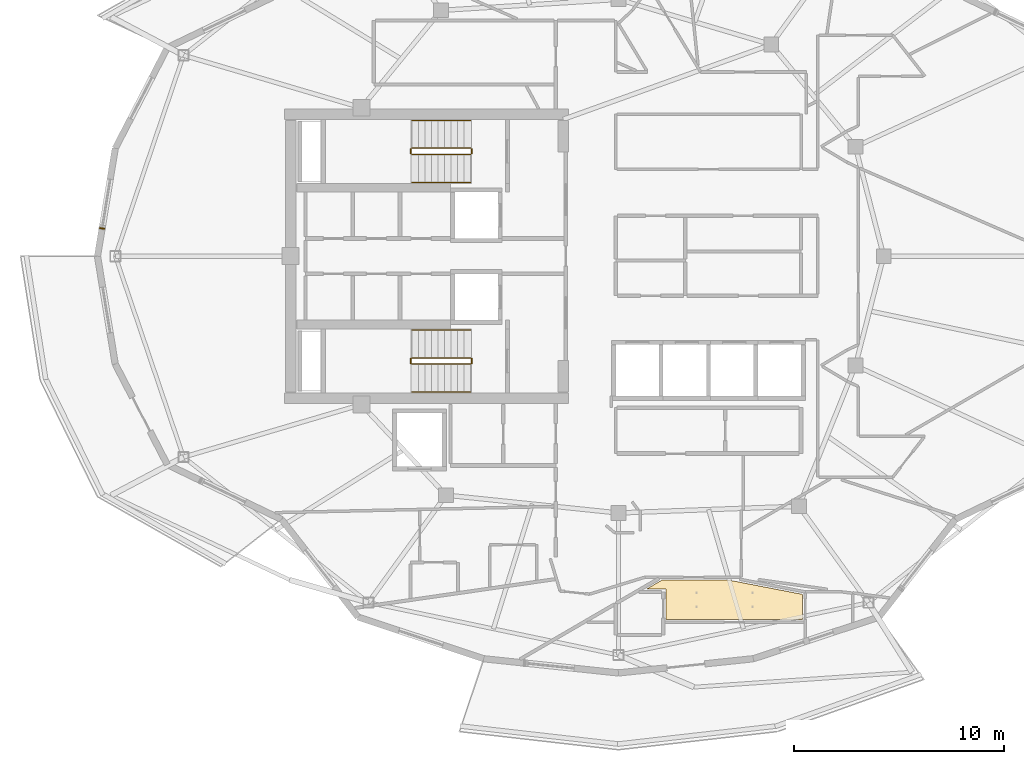
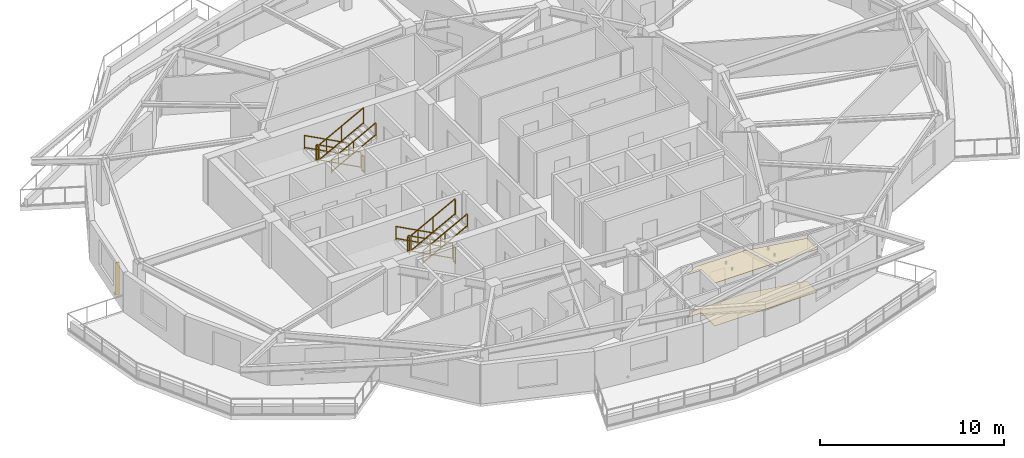
# One storey, part 15 of 18: 12 railings, 2 coverings, 1 shading device.
"""IFC4 building model written with IfcOpenShell, lengths in metres."""

import ifcopenshell
import ifcopenshell.guid

model = None  # the IFC model being written
_history = None  # IfcOwnerHistory: only IFC2X3 demands one
_inside = {}  # id of a spatial element -> (the spatial element, [elements in it])
_under = {}  # id of a project, library or spatial element -> (it, [spatial elements below it])
_declared = {}  # id of a project -> (the project, [libraries it declares])
_typed = {}  # id of a type object -> (the type object, [elements of that type])
_made_of = {}  # id of a material, layer set ... -> (it, [elements and type objects made of it])


def new_model(schema):
    """Start an empty IFC model of exactly this schema.

    Asked for "IFC4X3", IfcOpenShell would pick the latest addendum, in which some entities
    have other attributes; the version numbers below select the first issue.
    IFC2X3 requires an IfcOwnerHistory on every rooted entity: one is made here for all.
    """
    global model, _history
    if schema == "IFC4X3":
        model = ifcopenshell.file(schema_version=(4, 3, 0, 0))
    else:
        model = ifcopenshell.file(schema=schema)
    _inside.clear()
    _under.clear()
    _declared.clear()
    _typed.clear()
    _made_of.clear()
    _history = None
    if model.schema == "IFC2X3":
        org = make("IfcOrganization", Name="unknown")
        user = make(
            "IfcPersonAndOrganization",
            ThePerson=make("IfcPerson", FamilyName="unknown"),
            TheOrganization=org,
        )
        app = make(
            "IfcApplication",
            ApplicationDeveloper=org,
            Version="unknown",
            ApplicationFullName="unknown",
            ApplicationIdentifier="unknown",
        )
        _history = make(
            "IfcOwnerHistory",
            OwningUser=user,
            OwningApplication=app,
            ChangeAction="ADDED",
            CreationDate=0,
        )
    return model


def make(cls, **values):
    """One entity of the class cls with the attributes given. An attribute that is None is left unset."""
    return model.create_entity(
        cls, **{name: value for name, value in values.items() if value is not None}
    )


def rooted(cls, **values):
    """An entity with a GlobalId (a new one), such as an element, a storey or a relation."""
    return make(cls, GlobalId=ifcopenshell.guid.new(), OwnerHistory=_history, **values)


def si_unit(unit_type, name, prefix=None):
    """IfcSIUnit, for example si_unit("LENGTHUNIT", "METRE", prefix="MILLI")."""
    return make("IfcSIUnit", UnitType=unit_type, Prefix=prefix, Name=name)


def assignment(units):
    """IfcUnitAssignment: the units of a project."""
    return None if units is None else make("IfcUnitAssignment", Units=units)


def point(xyz):
    """IfcCartesianPoint."""
    return None if xyz is None else make("IfcCartesianPoint", Coordinates=xyz)


def direction(xyz):
    """IfcDirection."""
    return None if xyz is None else make("IfcDirection", DirectionRatios=xyz)


def frame(location, z_axis=None, x_axis=None):
    """IfcAxis2Placement3D, a coordinate frame: its origin and axes. An axis left out is left unset."""
    return make(
        "IfcAxis2Placement3D",
        Location=point(location),
        Axis=direction(z_axis),
        RefDirection=direction(x_axis),
    )


def frame_2d(location, x_axis=None):
    """IfcAxis2Placement2D, a coordinate frame in the plane: its origin and x axis."""
    return make(
        "IfcAxis2Placement2D", Location=point(location), RefDirection=direction(x_axis)
    )


def origin():
    """The frame at (0, 0, 0) with its axes left unset."""
    return frame((0.0, 0.0, 0.0))


def origin_2d():
    """The frame at (0, 0) in the plane with its x axis left unset."""
    return frame_2d((0.0, 0.0))


def place(relative_to, where):
    """IfcLocalPlacement: puts the frame where relative to a parent placement (None: the world)."""
    return make(
        "IfcLocalPlacement", PlacementRelTo=relative_to, RelativePlacement=where
    )


def context(
    kind, dimensions, precision=None, world=None, true_north=None, identifier=None
):
    """IfcGeometricRepresentationContext, for example the 3D "Model" context."""
    return make(
        "IfcGeometricRepresentationContext",
        ContextIdentifier=identifier,
        ContextType=kind,
        CoordinateSpaceDimension=dimensions,
        Precision=precision,
        WorldCoordinateSystem=world,
        TrueNorth=true_north,
    )


def subcontext(parent, identifier, kind, view, scale=None):
    """IfcGeometricRepresentationSubContext, for example "Body" below "Model"."""
    return make(
        "IfcGeometricRepresentationSubContext",
        ContextIdentifier=identifier,
        ContextType=kind,
        ParentContext=parent,
        TargetScale=scale,
        TargetView=view,
    )


def project(units=None, contexts=None):
    """IfcProject with its units and contexts."""
    return rooted(
        "IfcProject",
        Name="project",
        RepresentationContexts=contexts,
        UnitsInContext=assignment(units),
    )


def spatial(cls, under=None, at=None, **own):
    """A site, building, storey or space (cls), placed at a placement, below another one or the project."""
    s = rooted(cls, ObjectPlacement=at, **own)
    if under is not None:
        _under.setdefault(under.id(), (under, []))[1].append(s)
    return s


def polyline(points):
    """IfcPolyline through the points."""
    return make("IfcPolyline", Points=[point(p) for p in points])


def profile(cls, at=None, kind="AREA", **sizes):
    """A parametric profile (cls). Its sizes go by their IFC names, for example OverallWidth=200.0."""
    return make(cls, ProfileType=kind, Position=at, **sizes)


def rectangle(**sizes):
    """IfcRectangleProfileDef."""
    return profile("IfcRectangleProfileDef", **sizes)


def outline(outer, holes=None, kind="AREA"):
    """IfcArbitraryClosedProfileDef: a profile drawn as a closed curve; with holes, ...WithVoids."""
    if holes is None:
        return make("IfcArbitraryClosedProfileDef", ProfileType=kind, OuterCurve=outer)
    return make(
        "IfcArbitraryProfileDefWithVoids",
        ProfileType=kind,
        OuterCurve=outer,
        InnerCurves=holes,
    )


def extrude(swept, where, along, depth):
    """IfcExtrudedAreaSolid: the profile swept, set in the frame where, extruded along a direction by depth."""
    return make(
        "IfcExtrudedAreaSolid",
        SweptArea=swept,
        Position=where,
        ExtrudedDirection=direction(along),
        Depth=depth,
    )


def shape(context_of_items, identifier, shape_type, items):
    """IfcShapeRepresentation: the items that make up one representation, for example the "Body"."""
    return make(
        "IfcShapeRepresentation",
        ContextOfItems=context_of_items,
        RepresentationIdentifier=identifier,
        RepresentationType=shape_type,
        Items=items,
    )


def material(Name=None, Category=None):
    """IfcMaterial."""
    return make("IfcMaterial", Name=Name, Category=Category)


def layer(
    of_material, thickness, ventilated=None, Name=None, Category=None, Priority=None
):
    """IfcMaterialLayer: one layer of a wall or slab, of a material (None: an air gap)."""
    return make(
        "IfcMaterialLayer",
        Material=of_material,
        LayerThickness=thickness,
        IsVentilated=ventilated,
        Name=Name,
        Category=Category,
        Priority=Priority,
    )


def layer_set(layers, Name=None):
    """IfcMaterialLayerSet."""
    return make("IfcMaterialLayerSet", MaterialLayers=layers, LayerSetName=Name)


def made_of(thing, what):
    """Note that an element or type object is made of a material, layer set ...; save() writes the relation."""
    if what is not None:
        _made_of.setdefault(what.id(), (what, []))[1].append(thing)
    return thing


def type_object(cls, material=None, **own):
    """A type object (cls), such as IfcWallType, which elements share."""
    return made_of(rooted(cls, **own), material)


def element(
    cls,
    number,
    at=None,
    inside=None,
    cuts=None,
    type_object=None,
    material=None,
    context=None,
    identifier="Body",
    shape_type=None,
    held_by="IfcProductDefinitionShape",
    body=None,
    shapes=None,
    **own,
):
    """One element of the class cls, such as IfcWall. Its Tag is "e" and its number.

    at: its placement. inside: the storey or other place that contains it. cuts: it is an
    opening in that element (IfcRelVoidsElement). A single representation is given by context,
    identifier, shape_type and body (its items); several are given by shapes. held_by: the class
    of the entity that holds the representations. save() writes the other relations.
    """
    e = rooted(cls, Tag="e%d" % number, ObjectPlacement=at, **own)
    if body is not None:
        shapes = [shape(context, identifier, shape_type, body)]
    if shapes is not None:
        e.Representation = make(held_by, Representations=shapes)
    if inside is not None:
        _inside.setdefault(inside.id(), (inside, []))[1].append(e)
    if cuts is not None:
        rooted(
            "IfcRelVoidsElement", RelatingBuildingElement=cuts, RelatedOpeningElement=e
        )
    if type_object is not None:
        _typed.setdefault(type_object.id(), (type_object, []))[1].append(e)
    return made_of(e, material)


def aggregate(whole, parts):
    """IfcRelAggregates: a whole, such as a stair, and the parts it consists of."""
    return rooted("IfcRelAggregates", RelatingObject=whole, RelatedObjects=parts)


def save(model, path):
    """Write the relations noted so far, then the file.

    IfcRelAggregates (storeys below a building ...), IfcRelContainedInSpatialStructure (elements
    in a storey), IfcRelDefinesByType, IfcRelAssociatesMaterial and IfcRelDeclares: one each for
    every whole, place, type object, material and project.
    """
    for whole, parts in _under.values():
        aggregate(whole, parts)
    for where, things in _inside.values():
        rooted(
            "IfcRelContainedInSpatialStructure",
            RelatedElements=things,
            RelatingStructure=where,
        )
    for kind, things in _typed.values():
        rooted("IfcRelDefinesByType", RelatedObjects=things, RelatingType=kind)
    for what, things in _made_of.values():
        rooted("IfcRelAssociatesMaterial", RelatedObjects=things, RelatingMaterial=what)
    for by, libraries in _declared.values():
        rooted("IfcRelDeclares", RelatingContext=by, RelatedDefinitions=libraries)
    model.write(path)


model = new_model("IFC4")

# Units and contexts
model_context = context("Model", 3, precision=1e-05, world=origin(), true_north=direction((0.0, 1.0)))
body_context = subcontext(model_context, "Body", "Model", "MODEL_VIEW")
ifc_project = project(units=[si_unit("LENGTHUNIT", "METRE"), si_unit("AREAUNIT", "SQUARE_METRE"), si_unit("VOLUMEUNIT", "CUBIC_METRE"), si_unit("PLANEANGLEUNIT", "RADIAN"), si_unit("MASSUNIT", "GRAM", prefix="KILO")], contexts=[model_context])

# Site, building, storey
site_placement = place(None, origin())
site = spatial("IfcSite", under=ifc_project, at=site_placement, CompositionType="ELEMENT")
building_placement = place(site_placement, origin())
building = spatial("IfcBuilding", under=site, at=building_placement, Name="Kolvaren Gate Tower and Convention Centre", CompositionType="ELEMENT")
storey_placement = place(building_placement, frame((0.0, 0.0, 229.39990234375)))
storey = spatial("IfcBuildingStorey", under=building, at=storey_placement, Name="L61", CompositionType="ELEMENT", Elevation=229.39990234375)

# Coverings
ifc_material_1 = material(Name="Perforated Mineral-Fibre Acoustic Ceiling Tile 18 mm", Category="gypsum")
ifc_layer_1 = layer(ifc_material_1, 0.01806640625)
ifc_layer_set_1 = layer_set([ifc_layer_1], Name="Perforated Mineral-Fibre Acoustic Ceiling Tile 18 mm")
covering_type_1 = type_object("IfcCoveringType", Name="ARCH-COV-CEIL-18", PredefinedType="CEILING", material=ifc_layer_set_1)
covering_1_placement = place(storey_placement, frame((0.0, 0.0, 2.85009765625)))
element("IfcCovering", 1, at=covering_1_placement, inside=storey, type_object=covering_type_1, Name="Duplex Loft Living Room (APT-L61-02) Acoustic Suspended Ceiling", PredefinedType="CEILING", context=body_context, shape_type="SweptSolid", body=[
    extrude(outline(polyline([(32.389892578125, 9.7451171875), (32.389892578125, 11.18994140625), (31.470947265625, 11.18994140625), (32.193115234375, 11.610107421875), (35.3701171875, 11.610107421875), (38.860107421875, 10.93408203125), (38.860107421875, 9.7451171875), (32.389892578125, 9.7451171875)])), origin(), (0.0, 0.0, 1.0), 0.01806640625),
])
ifc_material_2 = material(Name="FSC Andean Oak Engineered Parquet Flooring 22 mm", Category="wood")
ifc_layer_2 = layer(ifc_material_2, 0.02197265625)
ifc_layer_set_2 = layer_set([ifc_layer_2], Name="FSC Andean Oak Engineered Parquet Flooring 22 mm")
covering_type_2 = type_object("IfcCoveringType", Name="ARCH-COV-WOOD-22", PredefinedType="FLOORING", material=ifc_layer_set_2)
covering_2_placement = place(storey_placement, origin())
element("IfcCovering", 2, at=covering_2_placement, inside=storey, type_object=covering_type_2, Name="Duplex Loft Living Room (APT-L61-02) Interior Finish Flooring", PredefinedType="FLOORING", context=body_context, shape_type="SweptSolid", body=[
    extrude(outline(polyline([(32.389892578125, 9.7451171875), (32.389892578125, 11.18994140625), (31.470947265625, 11.18994140625), (32.193115234375, 11.610107421875), (35.3701171875, 11.610107421875), (38.860107421875, 10.93408203125), (38.860107421875, 9.7451171875), (32.389892578125, 9.7451171875)])), origin(), (0.0, 0.0, 1.0), 0.022216796875),
])

# Railings
ifc_material_3 = material(Name="Brushed Stainless Steel Grade 316L", Category="steel")
railing_type_1 = type_object("IfcRailingType", Name="ARCH-RL-GUARD-1150", PredefinedType="GUARDRAIL", material=ifc_material_3)
railing_1_placement = place(storey_placement, frame((23.10009765625, 32.1298828125, 0.1650390625)))
element("IfcRailing", 3, at=railing_1_placement, inside=storey, type_object=railing_type_1, Name="L61 ST-T1 stair guard 1", PredefinedType="GUARDRAIL", context=body_context, shape_type="SweptSolid", body=[
    extrude(rectangle(XDim=0.048095703125, YDim=0.048095703125, at=origin_2d()), frame((0.0, 0.0, 1.076171875), z_axis=(-0.882735390775, 0.0, 0.469870439454), x_axis=(0.0, -1.0, 0.0)), (0.0, 0.0, 1.0), 3.16064453125),
    extrude(rectangle(XDim=0.048095703125, YDim=0.048095703125, at=origin_2d()), frame((0.0, 0.0, 0.083984375), z_axis=(-0.882735390775, 0.0, 0.469870439454), x_axis=(0.0, -1.0, 0.0)), (0.0, 0.0, 1.0), 3.16064453125),
    extrude(rectangle(XDim=0.0419921875, YDim=0.0419921875, at=origin_2d()), origin(), (0.0, 0.0, 1.0), 1.050048828125),
    extrude(rectangle(XDim=0.0419921875, YDim=0.0419921875, at=origin_2d()), frame((-2.7900390625, 0.0, 1.485107421875)), (0.0, 0.0, 1.0), 1.050048828125),
    extrude(rectangle(XDim=0.0419921875, YDim=0.0419921875, at=origin_2d()), frame((-1.39501953125, 0.0, 0.74267578125)), (0.0, 0.0, 1.0), 1.050048828125),
])
railing_2_placement = place(storey_placement, frame((20.260009765625, 32.080078125, 1.650146484375)))
element("IfcRailing", 4, at=railing_2_placement, inside=storey, type_object=railing_type_1, Name="L61 ST-T1 stair guard 2", PredefinedType="GUARDRAIL", context=body_context, shape_type="SweptSolid", body=[
    extrude(rectangle(XDim=0.048095703125, YDim=0.048095703125, at=origin_2d()), frame((0.0, 0.0, 1.076171875), z_axis=(0.0, -1.0, 0.0), x_axis=(1.0, 0.0, 0.0)), (0.0, 0.0, 1.0), 0.2001953125),
    extrude(rectangle(XDim=0.048095703125, YDim=0.048095703125, at=origin_2d()), frame((0.0, 0.0, 0.083984375), z_axis=(0.0, -1.0, 0.0), x_axis=(1.0, 0.0, 0.0)), (0.0, 0.0, 1.0), 0.2001953125),
    extrude(rectangle(XDim=0.0419921875, YDim=0.0419921875, at=origin_2d()), origin(), (0.0, 0.0, 1.0), 1.050048828125),
    extrude(rectangle(XDim=0.0419921875, YDim=0.0419921875, at=origin_2d()), frame((0.0, -0.2001953125, 0.0)), (0.0, 0.0, 1.0), 1.050048828125),
])
railing_3_placement = place(storey_placement, frame((20.31005859375, 31.830078125, 1.815185546875)))
element("IfcRailing", 5, at=railing_3_placement, inside=storey, type_object=railing_type_1, Name="L61 ST-T1 stair guard 3", PredefinedType="GUARDRAIL", context=body_context, shape_type="SweptSolid", body=[
    extrude(rectangle(XDim=0.048095703125, YDim=0.048095703125, at=origin_2d()), frame((0.0, 0.0, 1.076171875), z_axis=(0.882767428149, 0.0, 0.469810246588), x_axis=(0.0, 1.0, 0.0)), (0.0, 0.0, 1.0), 3.16064453125),
    extrude(rectangle(XDim=0.048095703125, YDim=0.048095703125, at=origin_2d()), frame((0.0, 0.0, 0.083984375), z_axis=(0.882767428149, 0.0, 0.469810246588), x_axis=(0.0, 1.0, 0.0)), (0.0, 0.0, 1.0), 3.16064453125),
    extrude(rectangle(XDim=0.0419921875, YDim=0.0419921875, at=origin_2d()), origin(), (0.0, 0.0, 1.0), 1.050048828125),
    extrude(rectangle(XDim=0.0419921875, YDim=0.0419921875, at=origin_2d()), frame((2.7900390625, 0.0, 1.48486328125)), (0.0, 0.0, 1.0), 1.050048828125),
    extrude(rectangle(XDim=0.0419921875, YDim=0.0419921875, at=origin_2d()), frame((1.39501953125, 0.0, 0.742431640625)), (0.0, 0.0, 1.0), 1.050048828125),
])
railing_4_placement = place(storey_placement, frame((23.14990234375, 32.080078125, 0.0)))
element("IfcRailing", 6, at=railing_4_placement, inside=storey, type_object=railing_type_1, Name="L61 ST-T1 stair guard 4", PredefinedType="GUARDRAIL", context=body_context, shape_type="SweptSolid", body=[
    extrude(rectangle(XDim=0.048095703125, YDim=0.048095703125, at=origin_2d()), frame((0.0, 0.0, 1.076171875), z_axis=(0.0, -1.0, 0.0), x_axis=(1.0, 0.0, 0.0)), (0.0, 0.0, 1.0), 0.2001953125),
    extrude(rectangle(XDim=0.048095703125, YDim=0.048095703125, at=origin_2d()), frame((0.0, 0.0, 0.083984375), z_axis=(0.0, -1.0, 0.0), x_axis=(1.0, 0.0, 0.0)), (0.0, 0.0, 1.0), 0.2001953125),
    extrude(rectangle(XDim=0.0419921875, YDim=0.0419921875, at=origin_2d()), origin(), (0.0, 0.0, 1.0), 1.050048828125),
    extrude(rectangle(XDim=0.0419921875, YDim=0.0419921875, at=origin_2d()), frame((0.0, -0.2001953125, 0.0)), (0.0, 0.0, 1.0), 1.050048828125),
])
railing_5_placement = place(storey_placement, frame((23.10009765625, 22.169921875, 0.1650390625)))
element("IfcRailing", 7, at=railing_5_placement, inside=storey, type_object=railing_type_1, Name="L61 ST-T2 stair guard 1", PredefinedType="GUARDRAIL", context=body_context, shape_type="SweptSolid", body=[
    extrude(rectangle(XDim=0.048095703125, YDim=0.048095703125, at=origin_2d()), frame((0.0, 0.0, 1.076171875), z_axis=(-0.882735390775, 0.0, 0.469870439454), x_axis=(0.0, -1.0, 0.0)), (0.0, 0.0, 1.0), 3.16064453125),
    extrude(rectangle(XDim=0.048095703125, YDim=0.048095703125, at=origin_2d()), frame((0.0, 0.0, 0.083984375), z_axis=(-0.882735390775, 0.0, 0.469870439454), x_axis=(0.0, -1.0, 0.0)), (0.0, 0.0, 1.0), 3.16064453125),
    extrude(rectangle(XDim=0.0419921875, YDim=0.0419921875, at=origin_2d()), origin(), (0.0, 0.0, 1.0), 1.050048828125),
    extrude(rectangle(XDim=0.0419921875, YDim=0.0419921875, at=origin_2d()), frame((-2.7900390625, 0.0, 1.485107421875)), (0.0, 0.0, 1.0), 1.050048828125),
    extrude(rectangle(XDim=0.0419921875, YDim=0.0419921875, at=origin_2d()), frame((-1.39501953125, 0.0, 0.74267578125)), (0.0, 0.0, 1.0), 1.050048828125),
])
railing_6_placement = place(storey_placement, frame((20.260009765625, 22.1201171875, 1.650146484375)))
element("IfcRailing", 8, at=railing_6_placement, inside=storey, type_object=railing_type_1, Name="L61 ST-T2 stair guard 2", PredefinedType="GUARDRAIL", context=body_context, shape_type="SweptSolid", body=[
    extrude(rectangle(XDim=0.048095703125, YDim=0.048095703125, at=origin_2d()), frame((0.0, 0.0, 1.076171875), z_axis=(0.0, -1.0, 0.0), x_axis=(1.0, 0.0, 0.0)), (0.0, 0.0, 1.0), 0.2001953125),
    extrude(rectangle(XDim=0.048095703125, YDim=0.048095703125, at=origin_2d()), frame((0.0, 0.0, 0.083984375), z_axis=(0.0, -1.0, 0.0), x_axis=(1.0, 0.0, 0.0)), (0.0, 0.0, 1.0), 0.2001953125),
    extrude(rectangle(XDim=0.0419921875, YDim=0.0419921875, at=origin_2d()), origin(), (0.0, 0.0, 1.0), 1.050048828125),
    extrude(rectangle(XDim=0.0419921875, YDim=0.0419921875, at=origin_2d()), frame((0.0, -0.2001953125, 0.0)), (0.0, 0.0, 1.0), 1.050048828125),
])
railing_7_placement = place(storey_placement, frame((20.31005859375, 21.8701171875, 1.815185546875)))
element("IfcRailing", 9, at=railing_7_placement, inside=storey, type_object=railing_type_1, Name="L61 ST-T2 stair guard 3", PredefinedType="GUARDRAIL", context=body_context, shape_type="SweptSolid", body=[
    extrude(rectangle(XDim=0.048095703125, YDim=0.048095703125, at=origin_2d()), frame((0.0, 0.0, 1.076171875), z_axis=(0.882767428149, 0.0, 0.469810246588), x_axis=(0.0, 1.0, 0.0)), (0.0, 0.0, 1.0), 3.16064453125),
    extrude(rectangle(XDim=0.048095703125, YDim=0.048095703125, at=origin_2d()), frame((0.0, 0.0, 0.083984375), z_axis=(0.882767428149, 0.0, 0.469810246588), x_axis=(0.0, 1.0, 0.0)), (0.0, 0.0, 1.0), 3.16064453125),
    extrude(rectangle(XDim=0.0419921875, YDim=0.0419921875, at=origin_2d()), origin(), (0.0, 0.0, 1.0), 1.050048828125),
    extrude(rectangle(XDim=0.0419921875, YDim=0.0419921875, at=origin_2d()), frame((2.7900390625, 0.0, 1.48486328125)), (0.0, 0.0, 1.0), 1.050048828125),
    extrude(rectangle(XDim=0.0419921875, YDim=0.0419921875, at=origin_2d()), frame((1.39501953125, 0.0, 0.742431640625)), (0.0, 0.0, 1.0), 1.050048828125),
])
railing_8_placement = place(storey_placement, frame((23.14990234375, 22.1201171875, 0.0)))
element("IfcRailing", 10, at=railing_8_placement, inside=storey, type_object=railing_type_1, Name="L61 ST-T2 stair guard 4", PredefinedType="GUARDRAIL", context=body_context, shape_type="SweptSolid", body=[
    extrude(rectangle(XDim=0.048095703125, YDim=0.048095703125, at=origin_2d()), frame((0.0, 0.0, 1.076171875), z_axis=(0.0, -1.0, 0.0), x_axis=(1.0, 0.0, 0.0)), (0.0, 0.0, 1.0), 0.2001953125),
    extrude(rectangle(XDim=0.048095703125, YDim=0.048095703125, at=origin_2d()), frame((0.0, 0.0, 0.083984375), z_axis=(0.0, -1.0, 0.0), x_axis=(1.0, 0.0, 0.0)), (0.0, 0.0, 1.0), 0.2001953125),
    extrude(rectangle(XDim=0.0419921875, YDim=0.0419921875, at=origin_2d()), origin(), (0.0, 0.0, 1.0), 1.050048828125),
    extrude(rectangle(XDim=0.0419921875, YDim=0.0419921875, at=origin_2d()), frame((0.0, -0.2001953125, 0.0)), (0.0, 0.0, 1.0), 1.050048828125),
])
railing_type_2 = type_object("IfcRailingType", Name="ARCH-RL-HANDRAIL-920", PredefinedType="HANDRAIL", material=ifc_material_3)
railing_9_placement = place(storey_placement, frame((23.10009765625, 33.449951171875, 0.1650390625)))
element("IfcRailing", 11, at=railing_9_placement, inside=storey, type_object=railing_type_2, Name="L61 ST-T1 stair handrail 1", PredefinedType="HANDRAIL", context=body_context, shape_type="SweptSolid", body=[
    extrude(rectangle(XDim=0.048095703125, YDim=0.048095703125, at=origin_2d()), frame((0.0, 0.0, 0.8759765625), z_axis=(-0.882735390775, 0.0, 0.469870439454), x_axis=(0.0, -1.0, 0.0)), (0.0, 0.0, 1.0), 3.16064453125),
    extrude(rectangle(XDim=0.048095703125, YDim=0.048095703125, at=origin_2d()), frame((0.0, 0.0, 0.083984375), z_axis=(-0.882735390775, 0.0, 0.469870439454), x_axis=(0.0, -1.0, 0.0)), (0.0, 0.0, 1.0), 3.16064453125),
    extrude(rectangle(XDim=0.0419921875, YDim=0.0419921875, at=origin_2d()), origin(), (0.0, 0.0, 1.0), 0.849853515625),
    extrude(rectangle(XDim=0.0419921875, YDim=0.0419921875, at=origin_2d()), frame((-2.7900390625, 0.0, 1.485107421875)), (0.0, 0.0, 1.0), 0.849853515625),
    extrude(rectangle(XDim=0.0419921875, YDim=0.0419921875, at=origin_2d()), frame((-1.39501953125, 0.0, 0.74267578125)), (0.0, 0.0, 1.0), 0.849853515625),
])
railing_10_placement = place(storey_placement, frame((20.31005859375, 30.510009765625, 1.815185546875)))
element("IfcRailing", 12, at=railing_10_placement, inside=storey, type_object=railing_type_2, Name="L61 ST-T1 stair handrail 2", PredefinedType="HANDRAIL", context=body_context, shape_type="SweptSolid", body=[
    extrude(rectangle(XDim=0.048095703125, YDim=0.048095703125, at=origin_2d()), frame((0.0, 0.0, 0.8759765625), z_axis=(0.882767428149, 0.0, 0.469810246588), x_axis=(0.0, 1.0, 0.0)), (0.0, 0.0, 1.0), 3.16064453125),
    extrude(rectangle(XDim=0.048095703125, YDim=0.048095703125, at=origin_2d()), frame((0.0, 0.0, 0.083984375), z_axis=(0.882767428149, 0.0, 0.469810246588), x_axis=(0.0, 1.0, 0.0)), (0.0, 0.0, 1.0), 3.16064453125),
    extrude(rectangle(XDim=0.0419921875, YDim=0.0419921875, at=origin_2d()), origin(), (0.0, 0.0, 1.0), 0.849853515625),
    extrude(rectangle(XDim=0.0419921875, YDim=0.0419921875, at=origin_2d()), frame((2.7900390625, 0.0, 1.48486328125)), (0.0, 0.0, 1.0), 0.849853515625),
    extrude(rectangle(XDim=0.0419921875, YDim=0.0419921875, at=origin_2d()), frame((1.39501953125, 0.0, 0.742431640625)), (0.0, 0.0, 1.0), 0.849853515625),
])
railing_11_placement = place(storey_placement, frame((23.10009765625, 23.489990234375, 0.1650390625)))
element("IfcRailing", 13, at=railing_11_placement, inside=storey, type_object=railing_type_2, Name="L61 ST-T2 stair handrail 1", PredefinedType="HANDRAIL", context=body_context, shape_type="SweptSolid", body=[
    extrude(rectangle(XDim=0.048095703125, YDim=0.048095703125, at=origin_2d()), frame((0.0, 0.0, 0.8759765625), z_axis=(-0.882735390775, 0.0, 0.469870439454), x_axis=(0.0, -1.0, 0.0)), (0.0, 0.0, 1.0), 3.16064453125),
    extrude(rectangle(XDim=0.048095703125, YDim=0.048095703125, at=origin_2d()), frame((0.0, 0.0, 0.083984375), z_axis=(-0.882735390775, 0.0, 0.469870439454), x_axis=(0.0, -1.0, 0.0)), (0.0, 0.0, 1.0), 3.16064453125),
    extrude(rectangle(XDim=0.0419921875, YDim=0.0419921875, at=origin_2d()), origin(), (0.0, 0.0, 1.0), 0.849853515625),
    extrude(rectangle(XDim=0.0419921875, YDim=0.0419921875, at=origin_2d()), frame((-2.7900390625, 0.0, 1.485107421875)), (0.0, 0.0, 1.0), 0.849853515625),
    extrude(rectangle(XDim=0.0419921875, YDim=0.0419921875, at=origin_2d()), frame((-1.39501953125, 0.0, 0.74267578125)), (0.0, 0.0, 1.0), 0.849853515625),
])
railing_12_placement = place(storey_placement, frame((20.31005859375, 20.550048828125, 1.815185546875)))
element("IfcRailing", 14, at=railing_12_placement, inside=storey, type_object=railing_type_2, Name="L61 ST-T2 stair handrail 2", PredefinedType="HANDRAIL", context=body_context, shape_type="SweptSolid", body=[
    extrude(rectangle(XDim=0.048095703125, YDim=0.048095703125, at=origin_2d()), frame((0.0, 0.0, 0.8759765625), z_axis=(0.882767428149, 0.0, 0.469810246588), x_axis=(0.0, 1.0, 0.0)), (0.0, 0.0, 1.0), 3.16064453125),
    extrude(rectangle(XDim=0.048095703125, YDim=0.048095703125, at=origin_2d()), frame((0.0, 0.0, 0.083984375), z_axis=(0.882767428149, 0.0, 0.469810246588), x_axis=(0.0, 1.0, 0.0)), (0.0, 0.0, 1.0), 3.16064453125),
    extrude(rectangle(XDim=0.0419921875, YDim=0.0419921875, at=origin_2d()), origin(), (0.0, 0.0, 1.0), 0.849853515625),
    extrude(rectangle(XDim=0.0419921875, YDim=0.0419921875, at=origin_2d()), frame((2.7900390625, 0.0, 1.48486328125)), (0.0, 0.0, 1.0), 0.849853515625),
    extrude(rectangle(XDim=0.0419921875, YDim=0.0419921875, at=origin_2d()), frame((1.39501953125, 0.0, 0.742431640625)), (0.0, 0.0, 1.0), 0.849853515625),
])

# Shading device
ifc_material_4 = material(Name="Kiln-Fired Bogota Terracotta Ceramic Louvre Profile", Category="masonry")
shading_device_type = type_object("IfcShadingDeviceType", Name="ARCH-SHD-FIN-180", PredefinedType="JALOUSIE", material=ifc_material_4)
shading_device_placement = place(storey_placement, frame((5.592041015625, 28.3193359375, 0.22021484375), z_axis=(0.0, 0.0, 1.0), x_axis=(0.162375401515, 0.986729055508, 0.0)))
element("IfcShadingDevice", 15, at=shading_device_placement, inside=storey, type_object=shading_device_type, Name="Ceramic Vertical Brise-Soleil Fin FN-L61-11", PredefinedType="JALOUSIE", context=body_context, shape_type="SweptSolid", body=[
    extrude(rectangle(XDim=0.06005859375, YDim=0.239990234375, at=origin_2d()), origin(), (0.0, 0.0, 1.0), 2.14990234375),
])

save(model, "model.ifc")
